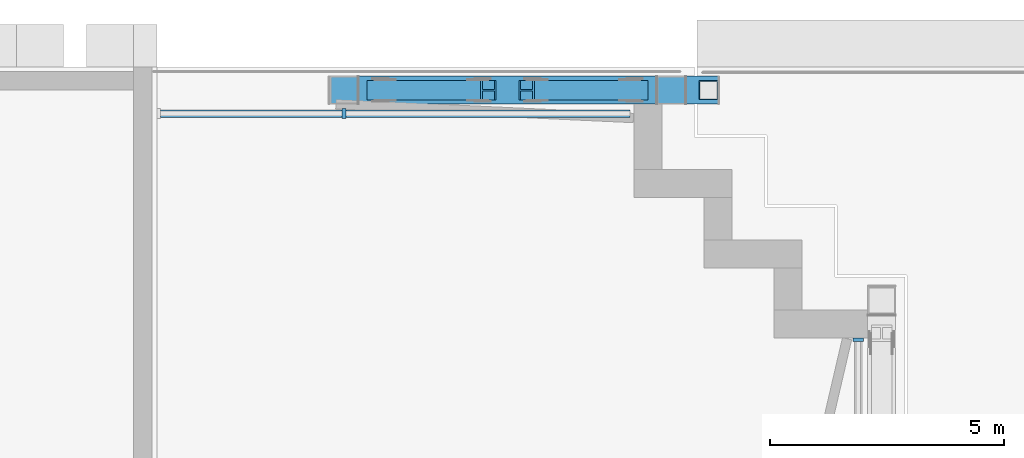
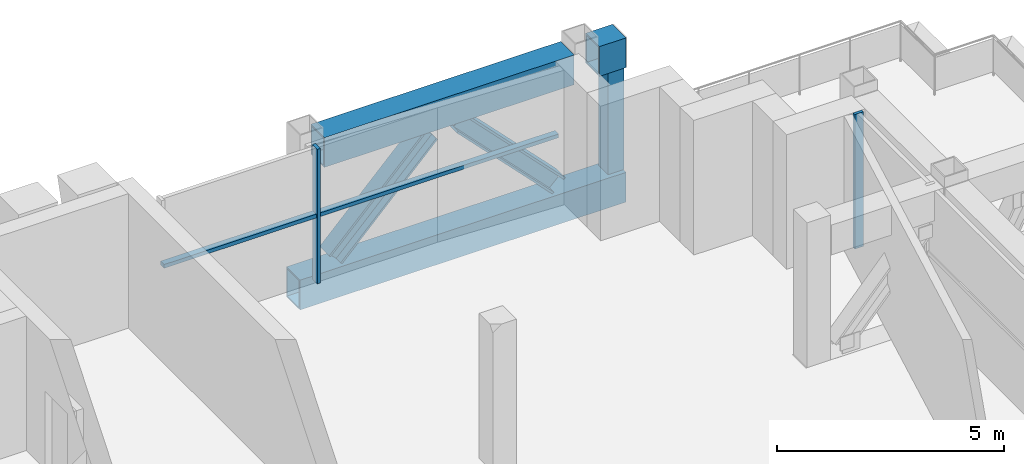
# One storey, part 5 of 21: 10 members, 2 elements without a shape of their own.
"""IFC4 building model written with IfcOpenShell, lengths in metres."""

from ifc_helpers import new_model, si_unit, direction, frame, origin, origin_2d, place, context, subcontext, project, spatial, rectangle, hollow_rectangle, i_section, extrude, material, material_profile, profile_set, type_object, element, aggregate, save


model = new_model("IFC4")

# Units and contexts
model_context = context("Model", 3, precision=1e-05, world=origin(), true_north=direction((0.0, 1.0)))
body_context = subcontext(model_context, "Body", "Model", "MODEL_VIEW")
ifc_project = project(units=[si_unit("LENGTHUNIT", "METRE"), si_unit("AREAUNIT", "SQUARE_METRE"), si_unit("VOLUMEUNIT", "CUBIC_METRE"), si_unit("PLANEANGLEUNIT", "RADIAN"), si_unit("MASSUNIT", "GRAM", prefix="KILO")], contexts=[model_context])

# Site, building, storey
site_placement = place(None, origin())
site = spatial("IfcSite", under=ifc_project, at=site_placement, CompositionType="ELEMENT")
building_placement = place(site_placement, origin())
building = spatial("IfcBuilding", under=site, at=building_placement, Name="Vidyagriha Tower", CompositionType="ELEMENT")
storey_placement = place(building_placement, frame((0.0, 0.0, 203.699951171875)))
storey = spatial("IfcBuildingStorey", under=building, at=storey_placement, Name="L52", CompositionType="ELEMENT", Elevation=203.699951171875)

# Curtain wall, member
ifc_material_1 = material(Name="Aluminium and glass curtain wall", Category="aluminium")
curtain_wall_type = type_object("IfcCurtainWallType", Name="Plant louvre wall", PredefinedType="USERDEFINED", material=ifc_material_1)
curtain_wall_1_placement = place(storey_placement, origin())
curtain_wall_1 = element("IfcCurtainWall", 1, at=curtain_wall_1_placement, inside=storey, type_object=curtain_wall_type, Name="CW7 plant louvre wall", ObjectType="STICK GLAZING", PredefinedType="USERDEFINED")
ifc_material_2 = material(Name="Aluminium black anodised", Category="aluminium")
ifc_material_profile_1 = material_profile(ifc_material_2, rectangle(XDim=0.219970703125, YDim=0.080078125, at=origin_2d()), Name="Mullion 80x220 black aluminium")
ifc_profile_set_1 = profile_set([ifc_material_profile_1], Name="Aluminium black anodised")
member_type_1 = type_object("IfcMemberType", Name="Mullion 80x220 black aluminium", PredefinedType="MULLION", material=ifc_profile_set_1)
member_1_placement = place(storey_placement, frame((18.0, 19.0, 0.0), z_axis=(0.0, 0.0, 1.0), x_axis=(0.0, -1.0, 0.0)))
member_1 = element("IfcMember", 2, at=member_1_placement, type_object=member_type_1, Name="CW7 mullion 2", PredefinedType="MULLION", context=body_context, shape_type="SweptSolid", body=[
    extrude(rectangle(XDim=0.219970703125, YDim=0.080078125, at=origin_2d()), origin(), (0.0, 0.0, 1.0), 3.6201171875),
])

curtain_wall_2_placement = place(storey_placement, origin())
curtain_wall_2 = element("IfcCurtainWall", 3, at=curtain_wall_2_placement, inside=storey, type_object=curtain_wall_type, Name="CW7 plant louvre wall", ObjectType="STICK GLAZING", PredefinedType="USERDEFINED")
member_2_placement = place(storey_placement, frame((29.0, 14.159912109375, 0.0), z_axis=(0.0, 0.0, 1.0), x_axis=(-1.0, 0.0, 0.0)))
member_2 = element("IfcMember", 4, at=member_2_placement, type_object=member_type_1, Name="CW7 mullion 4", PredefinedType="MULLION", context=body_context, shape_type="SweptSolid", body=[
    extrude(rectangle(XDim=0.219970703125, YDim=0.080078125, at=origin_2d()), origin(), (0.0, 0.0, 1.0), 3.6201171875),
])
aggregate(curtain_wall_2, [member_2])

# Members
ifc_material_3 = material(Name="Steel ASTM A572 Grade 50", Category="steel")
ifc_material_profile_2 = material_profile(ifc_material_3, hollow_rectangle(XDim=0.60009765625, YDim=0.800048828125, WallThickness=0.034912109375, at=origin_2d()), Name="BOX 800x600x35")
ifc_profile_set_2 = profile_set([ifc_material_profile_2], Name="Steel ASTM A572 Grade 50")
member_type_2 = type_object("IfcMemberType", Name="Transfer truss chord BOX 800x600x35", PredefinedType="CHORD", material=ifc_profile_set_2)
member_3_placement = place(storey_placement, frame((17.699951171875, 19.5, -0.39990234375), z_axis=(1.0, 0.0, 0.0), x_axis=(0.0, 1.0, 0.0)))
element("IfcMember", 5, at=member_3_placement, inside=storey, type_object=member_type_2, Name="st-truss-L52-T05-B00", PredefinedType="CHORD", context=body_context, shape_type="SweptSolid", body=[
    extrude(hollow_rectangle(XDim=0.60009765625, YDim=0.800048828125, WallThickness=0.034912109375, at=origin_2d()), origin(), (0.0, 0.0, 1.0), 8.300048828125),
])
member_4_placement = place(storey_placement, frame((18.319580078125, 19.5, 3.219970703125), z_axis=(1.0, 0.0, 0.0), x_axis=(0.0, 1.0, 0.0)))
element("IfcMember", 6, at=member_4_placement, inside=storey, type_object=member_type_2, Name="st-truss-L52-T05-T00", PredefinedType="CHORD", context=body_context, shape_type="SweptSolid", body=[
    extrude(hollow_rectangle(XDim=0.60009765625, YDim=0.800048828125, WallThickness=0.034912109375, at=origin_2d()), origin(), (0.0, 0.0, 1.0), 6.36083984375),
])
member_5_placement = place(storey_placement, frame((25.319580078125, 19.5, 3.219970703125), z_axis=(1.0, 0.0, 0.0), x_axis=(0.0, 1.0, 0.0)))
element("IfcMember", 7, at=member_5_placement, inside=storey, type_object=member_type_2, Name="st-truss-L52-T05-T01", PredefinedType="CHORD", context=body_context, shape_type="SweptSolid", body=[
    extrude(hollow_rectangle(XDim=0.60009765625, YDim=0.800048828125, WallThickness=0.034912109375, at=origin_2d()), origin(), (0.0, 0.0, 1.0), 0.680419921875),
])
ifc_material_4 = material(Name="Steel ASTM A913 Grade 65", Category="steel")
ifc_material_profile_3 = material_profile(ifc_material_4, i_section(OverallWidth=0.421630859375, OverallDepth=0.46484375, WebThickness=0.030029296875, FlangeThickness=0.052978515625, at=origin_2d()), Name="W14X398")
ifc_profile_set_3 = profile_set([ifc_material_profile_3], Name="Steel ASTM A913 Grade 65")
member_type_3 = type_object("IfcMemberType", Name="Transfer truss diagonal W14X398", PredefinedType="BRACE", material=ifc_profile_set_3)
for number, where, z_axis, x_axis, name in (
    (8, (18.658203125, 19.5, 0.162353515625), (0.69819079846, 0.0, 0.71591173265), (0.0, 1.0, 0.0), "st-truss-L52-T05-D000"),
    (9, (21.908203125, 19.5, 2.65771484375), (0.69819079846, 0.0, -0.71591173265), (0.0, 1.0, 0.0), "st-truss-L52-T05-D001"),
):
    element("IfcMember", number, at=place(storey_placement, frame(where, z_axis=z_axis, x_axis=x_axis)), inside=storey, type_object=member_type_3, Name=name, PredefinedType="BRACE", context=body_context, shape_type="SweptSolid", body=[
        extrude(i_section(OverallWidth=0.421630859375, OverallDepth=0.46484375, WebThickness=0.030029296875, FlangeThickness=0.052978515625, at=origin_2d()), origin(), (0.0, 0.0, 1.0), 3.485595703125),
    ])
ifc_material_5 = material(Name="Steel ASTM A500 Grade C", Category="steel")
ifc_material_profile_4 = material_profile(ifc_material_5, hollow_rectangle(XDim=0.406494140625, YDim=0.406494140625, WallThickness=0.017822265625, at=origin_2d()), Name="HSS16X16X3/4")
ifc_profile_set_4 = profile_set([ifc_material_profile_4], Name="Steel ASTM A500 Grade C")
member_type_4 = type_object("IfcMemberType", Name="Transfer truss post HSS16X16X3/4", PredefinedType="POST", material=ifc_profile_set_4)
member_6_placement = place(storey_placement, frame((25.796875, 19.5, 0.01953125)))
element("IfcMember", 10, at=member_6_placement, inside=storey, type_object=member_type_4, Name="st-truss-L52-T05-P02", PredefinedType="POST", context=body_context, shape_type="SweptSolid", body=[
    extrude(hollow_rectangle(XDim=0.406494140625, YDim=0.406494140625, WallThickness=0.017822265625, at=origin_2d()), origin(), (0.0, 0.0, 1.0), 2.781005859375),
])

# Member
ifc_material_6 = material(Name="Aluminium black anodised", Category="aluminium")
ifc_material_profile_5 = material_profile(ifc_material_6, rectangle(XDim=0.159912109375, YDim=0.10009765625, at=origin_2d()), Name="Transom 100x160 black aluminium")
ifc_profile_set_5 = profile_set([ifc_material_profile_5], Name="Aluminium black anodised")
member_type_5 = type_object("IfcMemberType", Name="Transom 100x160 black aluminium", PredefinedType="USERDEFINED", material=ifc_profile_set_5)
member_7_placement = place(storey_placement, frame((24.1201171875, 19.0, 1.81005859375), z_axis=(-1.0, 0.0, 0.0), x_axis=(0.0, -1.0, 0.0)))
member_7 = element("IfcMember", 11, at=member_7_placement, type_object=member_type_5, Name="CW7 transom 1.1", ObjectType="TRANSOM", PredefinedType="USERDEFINED", context=body_context, shape_type="SweptSolid", body=[
    extrude(rectangle(XDim=0.159912109375, YDim=0.10009765625, at=origin_2d()), origin(), (0.0, 0.0, 1.0), 6.080078125),
])

member_8_placement = place(storey_placement, frame((17.9599609375, 19.0, 1.81005859375), z_axis=(-1.0, 0.0, 0.0), x_axis=(0.0, -1.0, 0.0)))
member_8 = element("IfcMember", 12, at=member_8_placement, type_object=member_type_5, Name="CW7 transom 2.1", ObjectType="TRANSOM", PredefinedType="USERDEFINED", context=body_context, shape_type="SweptSolid", body=[
    extrude(rectangle(XDim=0.159912109375, YDim=0.10009765625, at=origin_2d()), origin(), (0.0, 0.0, 1.0), 3.8798828125),
])

aggregate(curtain_wall_1, [member_1, member_7, member_8])

save(model, "model.ifc")
